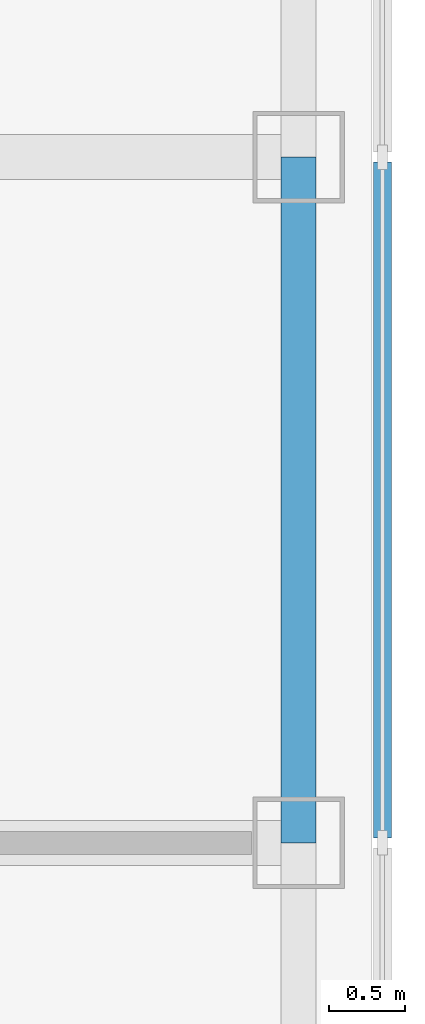
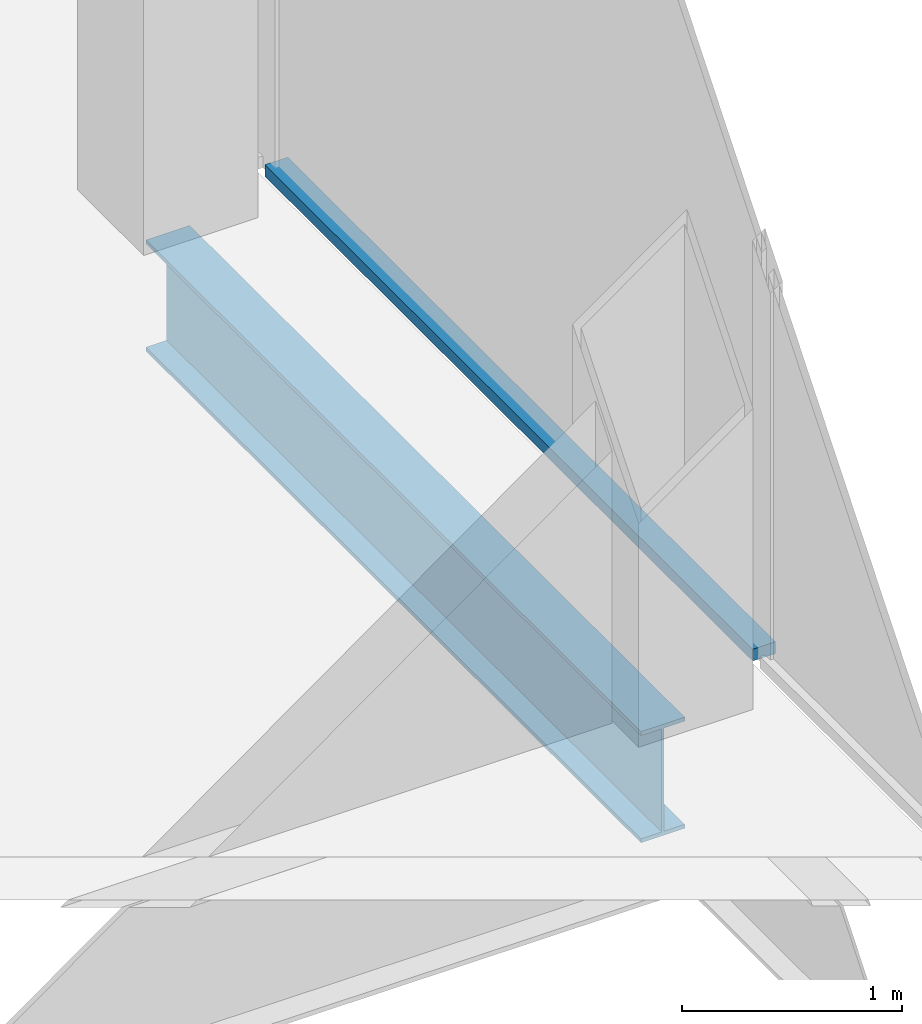
# One storey, part 5 of 14: 1 beam, 1 member, 1 element without a shape of its own.
"""IFC4 building model written with IfcOpenShell, lengths in metres."""

from ifc_helpers import new_model, si_unit, direction, frame, origin, origin_2d, place, context, subcontext, project, spatial, rectangle, i_section, extrude, material, material_profile, profile_set, type_object, element, aggregate, save


model = new_model("IFC4")

# Units and contexts
model_context = context("Model", 3, precision=1e-05, world=origin(), true_north=direction((0.0, 1.0)))
body_context = subcontext(model_context, "Body", "Model", "MODEL_VIEW")
ifc_project = project(units=[si_unit("LENGTHUNIT", "METRE"), si_unit("AREAUNIT", "SQUARE_METRE"), si_unit("VOLUMEUNIT", "CUBIC_METRE"), si_unit("PLANEANGLEUNIT", "RADIAN"), si_unit("MASSUNIT", "GRAM", prefix="KILO")], contexts=[model_context])

# Site, building, storey
site_placement = place(None, origin())
site = spatial("IfcSite", under=ifc_project, at=site_placement, CompositionType="ELEMENT")
building_placement = place(site_placement, origin())
building = spatial("IfcBuilding", under=site, at=building_placement, Name="Corais Broadcast Tower", CompositionType="ELEMENT")
storey_placement = place(building_placement, frame((0.0, 0.0, 290.60009765625)))
storey = spatial("IfcBuildingStorey", under=building, at=storey_placement, Name="L68", CompositionType="ELEMENT", Elevation=290.60009765625)

# Beam
ifc_material_1 = material(Name="Steel ASTM A572 Grade 50", Category="steel")
ifc_material_profile_1 = material_profile(ifc_material_1, i_section(OverallWidth=0.22998046875, OverallDepth=0.616943359375, WebThickness=0.01318359375, FlangeThickness=0.022216796875, at=origin_2d()), Name="W610x140")
ifc_profile_set_1 = profile_set([ifc_material_profile_1], Name="Steel ASTM A572 Grade 50")
beam_type = type_object("IfcBeamType", Name="Spandrel W610x140", PredefinedType="BEAM", material=ifc_profile_set_1)
beam_placement = place(storey_placement, frame((54.0, 27.0, -0.468505859375), z_axis=(0.0, 1.0, 0.0), x_axis=(-1.0, 0.0, 0.0)))
element("IfcBeam", 1, at=beam_placement, inside=storey, type_object=beam_type, Name="SB3 G/15 to H/15", PredefinedType="BEAM", context=body_context, shape_type="SweptSolid", body=[
    extrude(i_section(OverallWidth=0.22998046875, OverallDepth=0.616943359375, WebThickness=0.01318359375, FlangeThickness=0.022216796875, at=origin_2d()), origin(), (0.0, 0.0, 1.0), 4.5),
])

# Curtain wall, member
ifc_material_2 = material(Name="Aluminium and glass", Category="aluminium")
curtain_wall_type = type_object("IfcCurtainWallType", Name="Unitised fritted curtain wall CW3", PredefinedType="NOTDEFINED", material=ifc_material_2)
curtain_wall_placement = place(storey_placement, origin())
curtain_wall = element("IfcCurtainWall", 2, at=curtain_wall_placement, inside=storey, type_object=curtain_wall_type, Name="CW3 curtain wall L68 6", PredefinedType="NOTDEFINED")
ifc_material_3 = material(Name="Aluminium 6063-T6", Category="aluminium")
ifc_material_profile_2 = material_profile(ifc_material_3, rectangle(XDim=0.1201171875, YDim=0.06494140625, at=origin_2d()), Name="Transom CW3 65x120")
ifc_profile_set_2 = profile_set([ifc_material_profile_2], Name="Aluminium 6063-T6")
member_type = type_object("IfcMemberType", Name="Transom CW3 65x120", PredefinedType="USERDEFINED", material=ifc_profile_set_2)
member_placement = place(storey_placement, frame((54.550048828125, 31.467529296875, 0.032470703125), z_axis=(0.0, -1.0, 0.0), x_axis=(1.0, 0.0, 0.0)))
member = element("IfcMember", 3, at=member_placement, type_object=member_type, Name="CW3 transom 3.1", ObjectType="TRANSOM", PredefinedType="USERDEFINED", context=body_context, shape_type="SweptSolid", body=[
    extrude(rectangle(XDim=0.1201171875, YDim=0.06494140625, at=origin_2d()), origin(), (0.0, 0.0, 1.0), 4.43505859375),
])
aggregate(curtain_wall, [member])

save(model, "model.ifc")
